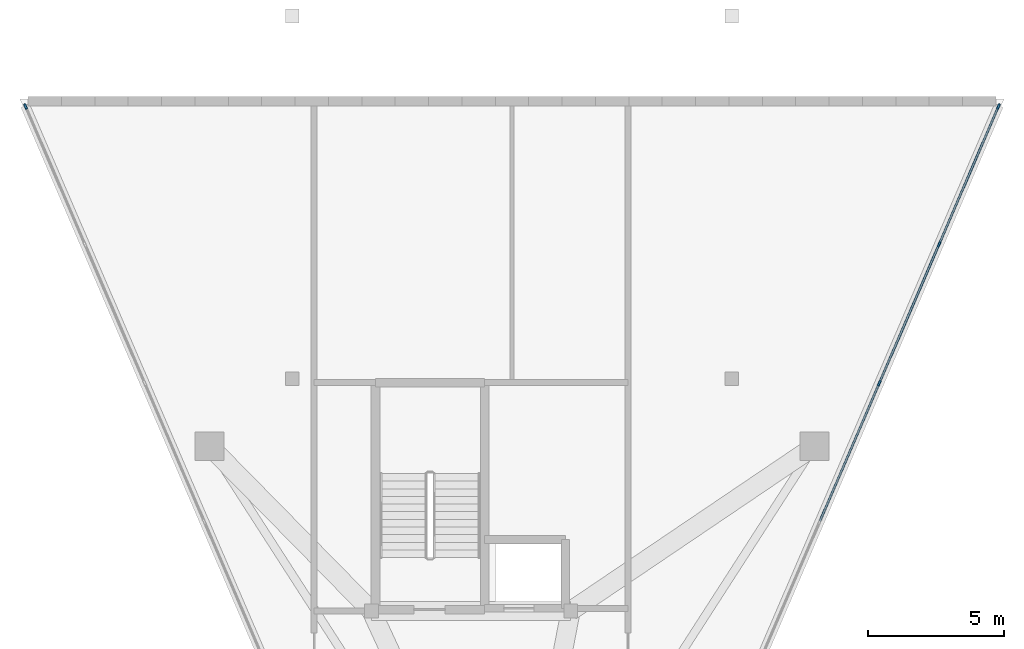
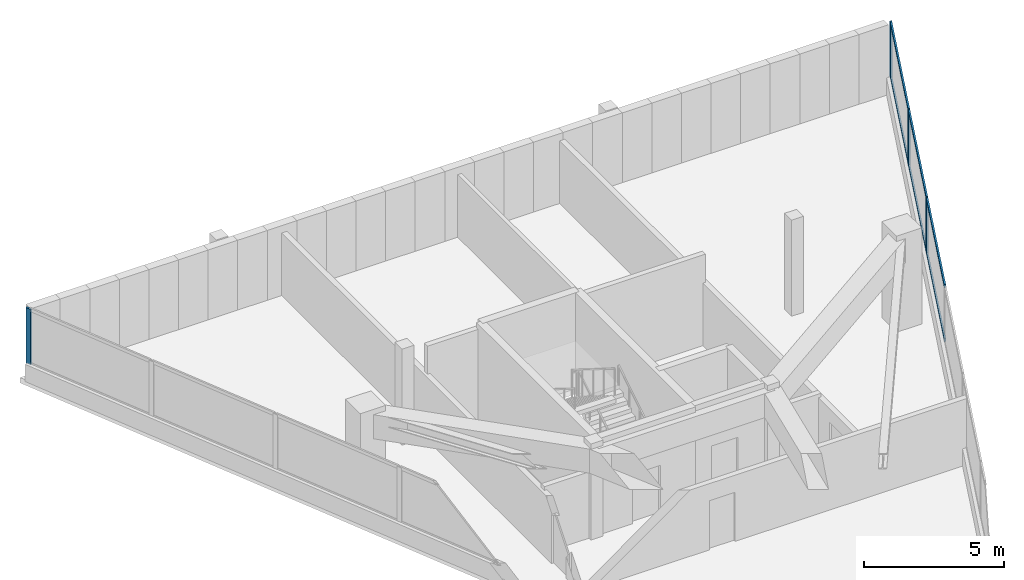
# One storey, part 2 of 5: 10 members, 2 elements without a shape of their own.
"""IFC4 building model written with IfcOpenShell, lengths in metres."""

from ifc_helpers import new_model, si_unit, direction, frame, origin, origin_2d, place, context, subcontext, project, spatial, rectangle, extrude, material, layer, layer_set, material_profile, profile_set, type_object, element, aggregate, save


model = new_model("IFC4")

# Units and contexts
model_context = context("Model", 3, precision=1e-05, world=origin(), true_north=direction((0.0, 1.0)))
body_context = subcontext(model_context, "Body", "Model", "MODEL_VIEW")
ifc_project = project(units=[si_unit("LENGTHUNIT", "METRE"), si_unit("AREAUNIT", "SQUARE_METRE"), si_unit("VOLUMEUNIT", "CUBIC_METRE"), si_unit("PLANEANGLEUNIT", "RADIAN"), si_unit("MASSUNIT", "GRAM", prefix="KILO")], contexts=[model_context])

# Site, building, storey
site_placement = place(None, origin())
site = spatial("IfcSite", under=ifc_project, at=site_placement, CompositionType="ELEMENT")
building_placement = place(site_placement, origin())
building = spatial("IfcBuilding", under=site, at=building_placement, Name="Talyreon Biosciences Tower", CompositionType="ELEMENT")
storey_placement = place(building_placement, frame((0.0, 0.0, 325.60009765625)))
storey = spatial("IfcBuildingStorey", under=building, at=storey_placement, Name="L86", CompositionType="ELEMENT", Elevation=325.60009765625)

# Curtain wall, members
ifc_material_1 = material(Name="Thermally broken aluminium and low-E glazing", Category="aluminium")
ifc_layer = layer(ifc_material_1, 0.2099609375)
ifc_layer_set = layer_set([ifc_layer], Name="Thermally broken aluminium and low-E glazing")
curtain_wall_type = type_object("IfcCurtainWallType", Name="CurtainWall_SlantedCrown", PredefinedType="NOTDEFINED", material=ifc_layer_set)
curtain_wall_1_placement = place(storey_placement, origin())
curtain_wall_1 = element("IfcCurtainWall", 1, at=curtain_wall_1_placement, inside=storey, type_object=curtain_wall_type, Name="L86 Unitised Curtain Wall FCW-L86-01C", PredefinedType="NOTDEFINED")
ifc_material_2 = material(Name="Anodised thermally broken aluminium", Category="aluminium")
ifc_material_profile_1 = material_profile(ifc_material_2, rectangle(XDim=0.074951171875, YDim=0.2099609375, at=origin_2d()), Name="ALUM MULLION 75x210")
ifc_profile_set_1 = profile_set([ifc_material_profile_1], Name="Anodised thermally broken aluminium")
member_type_1 = type_object("IfcMemberType", Name="CWMullion_75x210", PredefinedType="MULLION", material=ifc_profile_set_1)
member_1_placement = place(storey_placement, frame((83.8291015625, 71.330078125, 0.7099609375), z_axis=(0.0, 0.0, 1.0), x_axis=(0.918487069239, -0.395451012947, 0.0)))
member_1 = element("IfcMember", 2, at=member_1_placement, type_object=member_type_1, Name="CW8 mullion 1", PredefinedType="MULLION", context=body_context, shape_type="SweptSolid", body=[
    extrude(rectangle(XDim=0.074951171875, YDim=0.2099609375, at=origin_2d()), origin(), (0.0, 0.0, 1.0), 2.426025390625),
])
member_2_placement = place(storey_placement, frame((81.65478515625, 66.280029296875, 0.7099609375), z_axis=(0.0, 0.0, 1.0), x_axis=(0.918487069239, -0.395451012947, 0.0)))
member_2 = element("IfcMember", 3, at=member_2_placement, type_object=member_type_1, Name="CW8 mullion 2", PredefinedType="MULLION", context=body_context, shape_type="SweptSolid", body=[
    extrude(rectangle(XDim=0.074951171875, YDim=0.2099609375, at=origin_2d()), origin(), (0.0, 0.0, 1.0), 2.426025390625),
])
member_3_placement = place(storey_placement, frame((79.465576171875, 61.1953125, 0.7099609375), z_axis=(0.0, 0.0, 1.0), x_axis=(0.918487069239, -0.395451012947, 0.0)))
member_3 = element("IfcMember", 4, at=member_3_placement, type_object=member_type_1, Name="CW8 mullion 3", PredefinedType="MULLION", context=body_context, shape_type="SweptSolid", body=[
    extrude(rectangle(XDim=0.074951171875, YDim=0.2099609375, at=origin_2d()), origin(), (0.0, 0.0, 1.0), 2.426025390625),
])

# Curtain wall, member
curtain_wall_2_placement = place(storey_placement, origin())
curtain_wall_2 = element("IfcCurtainWall", 5, at=curtain_wall_2_placement, inside=storey, type_object=curtain_wall_type, Name="L86 Unitised Curtain Wall FCW-L86-05C", PredefinedType="NOTDEFINED")
member_4_placement = place(storey_placement, frame((48.1708984375, 71.330078125, 0.7099609375), z_axis=(0.0, 0.0, 1.0), x_axis=(-0.918487069239, -0.395451012947, 0.0)))
member_4 = element("IfcMember", 6, at=member_4_placement, type_object=member_type_1, Name="CW8 mullion 7", PredefinedType="MULLION", context=body_context, shape_type="SweptSolid", body=[
    extrude(rectangle(XDim=0.074951171875, YDim=0.2099609375, at=origin_2d()), origin(), (0.0, 0.0, 1.0), 2.426025390625),
])
aggregate(curtain_wall_2, [member_4])

# Member
ifc_material_profile_2 = material_profile(ifc_material_2, rectangle(XDim=0.06494140625, YDim=0.139892578125, at=origin_2d()), Name="ALUM TRANSOM 65x140")
ifc_profile_set_2 = profile_set([ifc_material_profile_2], Name="Anodised thermally broken aluminium")
member_type_2 = type_object("IfcMemberType", Name="CWTransom_65x140", PredefinedType="USERDEFINED", material=ifc_profile_set_2)
member_5_placement = place(storey_placement, frame((83.814208984375, 71.295654296875, 0.742431640625), z_axis=(-0.395472591445, -0.918477778401, 0.0), x_axis=(0.918477778401, -0.395472591445, 0.0)))
member_5 = element("IfcMember", 7, at=member_5_placement, type_object=member_type_2, Name="CW8 transom 1.1", ObjectType="TRANSOM", PredefinedType="USERDEFINED", context=body_context, shape_type="SweptSolid", body=[
    extrude(rectangle(XDim=0.06494140625, YDim=0.139892578125, at=origin_2d()), origin(), (0.0, 0.0, 1.0), 5.42333984375),
])

member_6_placement = place(storey_placement, frame((83.814208984375, 71.295654296875, 3.103515625), z_axis=(-0.395472591445, -0.918477778401, 0.0), x_axis=(0.918477778401, -0.395472591445, 0.0)))
member_6 = element("IfcMember", 8, at=member_6_placement, type_object=member_type_2, Name="CW8 transom 1.2", ObjectType="TRANSOM", PredefinedType="USERDEFINED", context=body_context, shape_type="SweptSolid", body=[
    extrude(rectangle(XDim=0.06494140625, YDim=0.139892578125, at=origin_2d()), origin(), (0.0, 0.0, 1.0), 5.42333984375),
])

member_7_placement = place(storey_placement, frame((81.639892578125, 66.24560546875, 0.742431640625), z_axis=(-0.395429539932, -0.918496314064, 0.0), x_axis=(0.918496314064, -0.395429539932, 0.0)))
member_7 = element("IfcMember", 9, at=member_7_placement, type_object=member_type_2, Name="CW8 transom 2.1", ObjectType="TRANSOM", PredefinedType="USERDEFINED", context=body_context, shape_type="SweptSolid", body=[
    extrude(rectangle(XDim=0.06494140625, YDim=0.139892578125, at=origin_2d()), origin(), (0.0, 0.0, 1.0), 5.4609375),
])

member_8_placement = place(storey_placement, frame((81.639892578125, 66.24560546875, 3.103515625), z_axis=(-0.395429539932, -0.918496314064, 0.0), x_axis=(0.918496314064, -0.395429539932, 0.0)))
member_8 = element("IfcMember", 10, at=member_8_placement, type_object=member_type_2, Name="CW8 transom 2.2", ObjectType="TRANSOM", PredefinedType="USERDEFINED", context=body_context, shape_type="SweptSolid", body=[
    extrude(rectangle(XDim=0.06494140625, YDim=0.139892578125, at=origin_2d()), origin(), (0.0, 0.0, 1.0), 5.4609375),
])

member_9_placement = place(storey_placement, frame((79.45068359375, 61.160888671875, 0.742431640625), z_axis=(-0.395429539932, -0.918496314064, 0.0), x_axis=(0.918496314064, -0.395429539932, 0.0)))
member_9 = element("IfcMember", 11, at=member_9_placement, type_object=member_type_2, Name="CW8 transom 3.1", ObjectType="TRANSOM", PredefinedType="USERDEFINED", context=body_context, shape_type="SweptSolid", body=[
    extrude(rectangle(XDim=0.06494140625, YDim=0.139892578125, at=origin_2d()), origin(), (0.0, 0.0, 1.0), 5.4609375),
])

member_10_placement = place(storey_placement, frame((79.45068359375, 61.160888671875, 3.103515625), z_axis=(-0.395429539932, -0.918496314064, 0.0), x_axis=(0.918496314064, -0.395429539932, 0.0)))
member_10 = element("IfcMember", 12, at=member_10_placement, type_object=member_type_2, Name="CW8 transom 3.2", ObjectType="TRANSOM", PredefinedType="USERDEFINED", context=body_context, shape_type="SweptSolid", body=[
    extrude(rectangle(XDim=0.06494140625, YDim=0.139892578125, at=origin_2d()), origin(), (0.0, 0.0, 1.0), 5.4609375),
])

aggregate(curtain_wall_1, [member_1, member_2, member_3, member_5, member_6, member_7, member_8, member_9, member_10])

save(model, "model.ifc")
